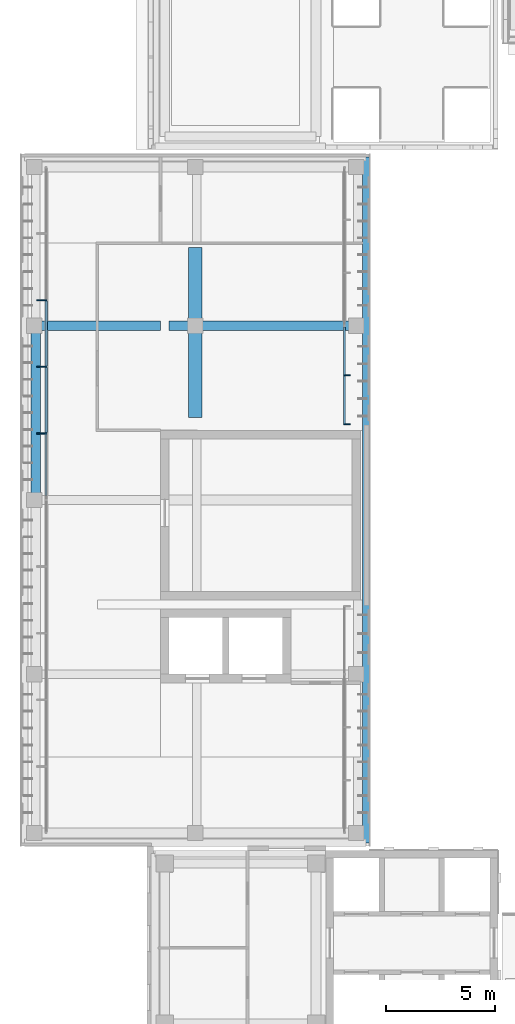
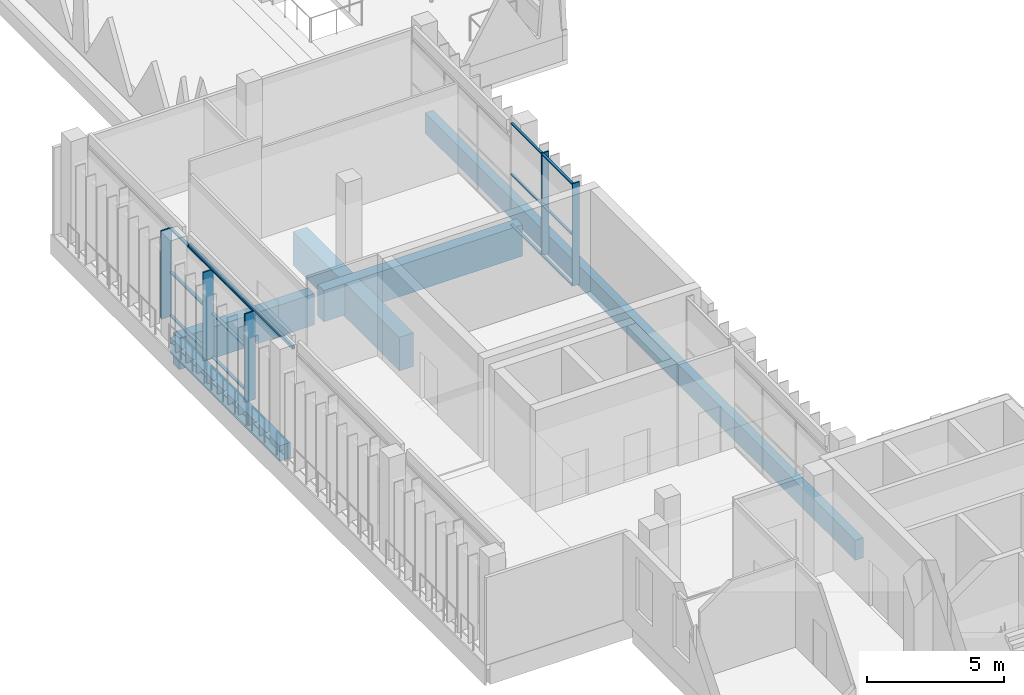
# One storey, part 14 of 46: 17 members, 6 beams, 2 elements without a shape of their own.
"""IFC4 building model written with IfcOpenShell, lengths in metres."""

from ifc_helpers import new_model, si_unit, direction, frame, origin, origin_2d, place, context, subcontext, project, spatial, rectangle, hollow_rectangle, extrude, material, material_profile, profile_set, type_object, element, aggregate, save


model = new_model("IFC4")

# Units and contexts
model_context = context("Model", 3, precision=1e-05, world=origin(), true_north=direction((0.0, 1.0)))
body_context = subcontext(model_context, "Body", "Model", "MODEL_VIEW")
ifc_project = project(units=[si_unit("LENGTHUNIT", "METRE"), si_unit("AREAUNIT", "SQUARE_METRE"), si_unit("VOLUMEUNIT", "CUBIC_METRE"), si_unit("PLANEANGLEUNIT", "RADIAN"), si_unit("MASSUNIT", "GRAM", prefix="KILO")], contexts=[model_context])

# Site, building, storey
site_placement = place(None, origin())
site = spatial("IfcSite", under=ifc_project, at=site_placement, CompositionType="ELEMENT")
building_placement = place(site_placement, origin())
building = spatial("IfcBuilding", under=site, at=building_placement, Name="Lantern Court Media Centre", CompositionType="ELEMENT")
storey_placement = place(building_placement, frame((0.0, 0.0, 28.800048828125)))
storey = spatial("IfcBuildingStorey", under=building, at=storey_placement, Name="L06", CompositionType="ELEMENT", Elevation=28.800048828125)

# Curtain wall, members
ifc_material_1 = material(Name="Curtain wall bay 2400")
curtain_wall_type_1 = type_object("IfcCurtainWallType", Name="Curtain wall bay 2400", PredefinedType="NOTDEFINED", material=ifc_material_1)
curtain_wall_1_placement = place(storey_placement, origin())
curtain_wall_1 = element("IfcCurtainWall", 1, at=curtain_wall_1_placement, inside=storey, type_object=curtain_wall_type_1, Name="Curtain wall W inner L06", PredefinedType="NOTDEFINED")
ifc_material_2 = material(Name="Anodised aluminium", Category="aluminium")
ifc_material_profile_1 = material_profile(ifc_material_2, rectangle(XDim=0.300048828125, YDim=0.050048828125, at=origin_2d()), Name="AL 50x300")
ifc_profile_set_1 = profile_set([ifc_material_profile_1], Name="Anodised aluminium")
member_type_1 = type_object("IfcMemberType", Name="Curtain wall mullion 50x300", PredefinedType="MULLION", material=ifc_profile_set_1)
member_1_placement = place(storey_placement, frame((16.969970703125, 83.47509765625, 0.0), z_axis=(0.0, 0.0, 1.0), x_axis=(-1.0, 0.0, 0.0)))
member_1 = element("IfcMember", 2, at=member_1_placement, type_object=member_type_1, Name="CW2 mullion 1", PredefinedType="MULLION", context=body_context, shape_type="SweptSolid", body=[
    extrude(rectangle(XDim=0.300048828125, YDim=0.050048828125, at=origin_2d()), origin(), (0.0, 0.0, 1.0), 4.579833984375),
])
member_2_placement = place(storey_placement, frame((16.969970703125, 85.72509765625, 0.0), z_axis=(0.0, 0.0, 1.0), x_axis=(-1.0, 0.0, 0.0)))
member_2 = element("IfcMember", 3, at=member_2_placement, type_object=member_type_1, Name="CW2 mullion 2", PredefinedType="MULLION", context=body_context, shape_type="SweptSolid", body=[
    extrude(rectangle(XDim=0.300048828125, YDim=0.050048828125, at=origin_2d()), origin(), (0.0, 0.0, 1.0), 4.579833984375),
])

ifc_material_3 = material(Name="Curtain wall bay 3000")
curtain_wall_type_2 = type_object("IfcCurtainWallType", Name="Curtain wall bay 3000", PredefinedType="NOTDEFINED", material=ifc_material_3)
curtain_wall_2_placement = place(storey_placement, origin())
curtain_wall_2 = element("IfcCurtainWall", 4, at=curtain_wall_2_placement, inside=storey, type_object=curtain_wall_type_2, Name="Curtain wall W outer L06", PredefinedType="NOTDEFINED")
ifc_material_profile_2 = material_profile(ifc_material_2, rectangle(XDim=0.449951171875, YDim=0.06005859375, at=origin_2d()), Name="AL 60x450")
ifc_profile_set_2 = profile_set([ifc_material_profile_2], Name="Anodised aluminium")
member_type_2 = type_object("IfcMemberType", Name="Curtain wall mullion 60x450", PredefinedType="MULLION", material=ifc_profile_set_2)
member_3_placement = place(storey_placement, frame((2.955078125, 83.06005859375, 0.0), z_axis=(0.0, 0.0, 1.0), x_axis=(-1.0, 0.0, 0.0)))
member_3 = element("IfcMember", 5, at=member_3_placement, type_object=member_type_2, Name="CW1 mullion 7", PredefinedType="MULLION", context=body_context, shape_type="SweptSolid", body=[
    extrude(rectangle(XDim=0.449951171875, YDim=0.06005859375, at=origin_2d()), origin(), (0.0, 0.0, 1.0), 3.949951171875),
])
member_4_placement = place(storey_placement, frame((2.955078125, 86.1201171875, 0.0), z_axis=(0.0, 0.0, 1.0), x_axis=(-1.0, 0.0, 0.0)))
member_4 = element("IfcMember", 6, at=member_4_placement, type_object=member_type_2, Name="CW1 mullion 8", PredefinedType="MULLION", context=body_context, shape_type="SweptSolid", body=[
    extrude(rectangle(XDim=0.449951171875, YDim=0.06005859375, at=origin_2d()), origin(), (0.0, 0.0, 1.0), 3.949951171875),
])
member_5_placement = place(storey_placement, frame((2.955078125, 89.179931640625, 0.0), z_axis=(0.0, 0.0, 1.0), x_axis=(-1.0, 0.0, 0.0)))
member_5 = element("IfcMember", 7, at=member_5_placement, type_object=member_type_2, Name="CW1 mullion 9", PredefinedType="MULLION", context=body_context, shape_type="SweptSolid", body=[
    extrude(rectangle(XDim=0.449951171875, YDim=0.06005859375, at=origin_2d()), origin(), (0.0, 0.0, 1.0), 3.949951171875),
])

# Member
ifc_material_profile_3 = material_profile(ifc_material_2, rectangle(XDim=0.10009765625, YDim=0.050048828125, at=origin_2d()), Name="AL 50x100")
ifc_profile_set_3 = profile_set([ifc_material_profile_3], Name="Anodised aluminium")
member_type_3 = type_object("IfcMemberType", Name="Curtain wall transom 100x50", PredefinedType="USERDEFINED", material=ifc_profile_set_3)
member_6_placement = place(storey_placement, frame((16.85009765625, 83.5, 0.02490234375), z_axis=(0.0, 1.0, 0.0), x_axis=(-1.0, 0.0, 0.0)))
member_6 = element("IfcMember", 8, at=member_6_placement, type_object=member_type_3, Name="CW2 transom 1.1", ObjectType="TRANSOM", PredefinedType="USERDEFINED", context=body_context, shape_type="SweptSolid", body=[
    extrude(rectangle(XDim=0.10009765625, YDim=0.050048828125, at=origin_2d()), origin(), (0.0, 0.0, 1.0), 2.199951171875),
])

member_7_placement = place(storey_placement, frame((16.85009765625, 83.5, 2.2900390625), z_axis=(0.0, 1.0, 0.0), x_axis=(-1.0, 0.0, 0.0)))
member_7 = element("IfcMember", 9, at=member_7_placement, type_object=member_type_3, Name="CW2 transom 1.2", ObjectType="TRANSOM", PredefinedType="USERDEFINED", context=body_context, shape_type="SweptSolid", body=[
    extrude(rectangle(XDim=0.10009765625, YDim=0.050048828125, at=origin_2d()), origin(), (0.0, 0.0, 1.0), 2.199951171875),
])

member_8_placement = place(storey_placement, frame((16.85009765625, 83.5, 4.554931640625), z_axis=(0.0, 1.0, 0.0), x_axis=(-1.0, 0.0, 0.0)))
member_8 = element("IfcMember", 10, at=member_8_placement, type_object=member_type_3, Name="CW2 transom 1.3", ObjectType="TRANSOM", PredefinedType="USERDEFINED", context=body_context, shape_type="SweptSolid", body=[
    extrude(rectangle(XDim=0.10009765625, YDim=0.050048828125, at=origin_2d()), origin(), (0.0, 0.0, 1.0), 2.199951171875),
])

member_9_placement = place(storey_placement, frame((16.85009765625, 85.75, 0.02490234375), z_axis=(0.0, 1.0, 0.0), x_axis=(-1.0, 0.0, 0.0)))
member_9 = element("IfcMember", 11, at=member_9_placement, type_object=member_type_3, Name="CW2 transom 2.1", ObjectType="TRANSOM", PredefinedType="USERDEFINED", context=body_context, shape_type="SweptSolid", body=[
    extrude(rectangle(XDim=0.10009765625, YDim=0.050048828125, at=origin_2d()), origin(), (0.0, 0.0, 1.0), 2.199951171875),
])

member_10_placement = place(storey_placement, frame((16.85009765625, 85.75, 2.2900390625), z_axis=(0.0, 1.0, 0.0), x_axis=(-1.0, 0.0, 0.0)))
member_10 = element("IfcMember", 12, at=member_10_placement, type_object=member_type_3, Name="CW2 transom 2.2", ObjectType="TRANSOM", PredefinedType="USERDEFINED", context=body_context, shape_type="SweptSolid", body=[
    extrude(rectangle(XDim=0.10009765625, YDim=0.050048828125, at=origin_2d()), origin(), (0.0, 0.0, 1.0), 2.199951171875),
])

member_11_placement = place(storey_placement, frame((16.85009765625, 85.75, 4.554931640625), z_axis=(0.0, 1.0, 0.0), x_axis=(-1.0, 0.0, 0.0)))
member_11 = element("IfcMember", 13, at=member_11_placement, type_object=member_type_3, Name="CW2 transom 2.3", ObjectType="TRANSOM", PredefinedType="USERDEFINED", context=body_context, shape_type="SweptSolid", body=[
    extrude(rectangle(XDim=0.10009765625, YDim=0.050048828125, at=origin_2d()), origin(), (0.0, 0.0, 1.0), 2.199951171875),
])

aggregate(curtain_wall_1, [member_1, member_2, member_6, member_7, member_8, member_9, member_10, member_11])

ifc_material_profile_4 = material_profile(ifc_material_2, rectangle(XDim=0.1201171875, YDim=0.06005859375, at=origin_2d()), Name="AL 60x120")
ifc_profile_set_4 = profile_set([ifc_material_profile_4], Name="Anodised aluminium")
member_type_4 = type_object("IfcMemberType", Name="Curtain wall transom 60x120", PredefinedType="USERDEFINED", material=ifc_profile_set_4)
member_12_placement = place(storey_placement, frame((3.14990234375, 83.090087890625, 0.030029296875), z_axis=(0.0, 1.0, 0.0), x_axis=(-1.0, 0.0, 0.0)))
member_12 = element("IfcMember", 14, at=member_12_placement, type_object=member_type_4, Name="CW1 transom 7.1", ObjectType="TRANSOM", PredefinedType="USERDEFINED", context=body_context, shape_type="SweptSolid", body=[
    extrude(rectangle(XDim=0.1201171875, YDim=0.06005859375, at=origin_2d()), origin(), (0.0, 0.0, 1.0), 3.0),
])

member_13_placement = place(storey_placement, frame((3.14990234375, 83.090087890625, 1.974853515625), z_axis=(0.0, 1.0, 0.0), x_axis=(-1.0, 0.0, 0.0)))
member_13 = element("IfcMember", 15, at=member_13_placement, type_object=member_type_4, Name="CW1 transom 7.2", ObjectType="TRANSOM", PredefinedType="USERDEFINED", context=body_context, shape_type="SweptSolid", body=[
    extrude(rectangle(XDim=0.1201171875, YDim=0.06005859375, at=origin_2d()), origin(), (0.0, 0.0, 1.0), 3.0),
])

member_14_placement = place(storey_placement, frame((3.14990234375, 83.090087890625, 3.919921875), z_axis=(0.0, 1.0, 0.0), x_axis=(-1.0, 0.0, 0.0)))
member_14 = element("IfcMember", 16, at=member_14_placement, type_object=member_type_4, Name="CW1 transom 7.3", ObjectType="TRANSOM", PredefinedType="USERDEFINED", context=body_context, shape_type="SweptSolid", body=[
    extrude(rectangle(XDim=0.1201171875, YDim=0.06005859375, at=origin_2d()), origin(), (0.0, 0.0, 1.0), 3.0),
])

member_15_placement = place(storey_placement, frame((3.14990234375, 86.14990234375, 0.030029296875), z_axis=(0.0, 1.0, 0.0), x_axis=(-1.0, 0.0, 0.0)))
member_15 = element("IfcMember", 17, at=member_15_placement, type_object=member_type_4, Name="CW1 transom 8.1", ObjectType="TRANSOM", PredefinedType="USERDEFINED", context=body_context, shape_type="SweptSolid", body=[
    extrude(rectangle(XDim=0.1201171875, YDim=0.06005859375, at=origin_2d()), origin(), (0.0, 0.0, 1.0), 3.0),
])

member_16_placement = place(storey_placement, frame((3.14990234375, 86.14990234375, 1.974853515625), z_axis=(0.0, 1.0, 0.0), x_axis=(-1.0, 0.0, 0.0)))
member_16 = element("IfcMember", 18, at=member_16_placement, type_object=member_type_4, Name="CW1 transom 8.2", ObjectType="TRANSOM", PredefinedType="USERDEFINED", context=body_context, shape_type="SweptSolid", body=[
    extrude(rectangle(XDim=0.1201171875, YDim=0.06005859375, at=origin_2d()), origin(), (0.0, 0.0, 1.0), 3.0),
])

member_17_placement = place(storey_placement, frame((3.14990234375, 86.14990234375, 3.919921875), z_axis=(0.0, 1.0, 0.0), x_axis=(-1.0, 0.0, 0.0)))
member_17 = element("IfcMember", 19, at=member_17_placement, type_object=member_type_4, Name="CW1 transom 8.3", ObjectType="TRANSOM", PredefinedType="USERDEFINED", context=body_context, shape_type="SweptSolid", body=[
    extrude(rectangle(XDim=0.1201171875, YDim=0.06005859375, at=origin_2d()), origin(), (0.0, 0.0, 1.0), 3.0),
])

aggregate(curtain_wall_2, [member_3, member_4, member_5, member_12, member_13, member_14, member_15, member_16, member_17])

# Beams
ifc_material_4 = material(Name="Steel S355J2 (EN 10025-2)", Category="steel")
ifc_material_profile_5 = material_profile(ifc_material_4, hollow_rectangle(XDim=0.10009765625, YDim=0.14990234375, WallThickness=0.00634765625, InnerFilletRadius=0.00634765625, OuterFilletRadius=0.009521484375, at=origin_2d()), Name="Facade head lintel RHS 150x100x6.3")
ifc_profile_set_5 = profile_set([ifc_material_profile_5], Name="Steel S355J2 (EN 10025-2)")
beam_type_1 = type_object("IfcBeamType", Name="Facade head lintel RHS 150x100x6.3", PredefinedType="BEAM", material=ifc_profile_set_5)
beam_1_placement = place(storey_placement, frame((3.14990234375, 80.199951171875, 4.02490234375), z_axis=(0.0, 1.0, 0.0), x_axis=(-1.0, 0.0, 0.0)))
element("IfcBeam", 20, at=beam_1_placement, inside=storey, type_object=beam_type_1, Name="Facade head lintel W L06", PredefinedType="BEAM", context=body_context, shape_type="SweptSolid", body=[
    extrude(hollow_rectangle(XDim=0.10009765625, YDim=0.14990234375, WallThickness=0.00634765625, InnerFilletRadius=0.00634765625, OuterFilletRadius=0.009521484375, at=origin_2d()), origin(), (0.0, 0.0, 1.0), 7.60009765625),
])
ifc_material_5 = material(Name="Concrete C35", Category="concrete")
ifc_material_profile_6 = material_profile(ifc_material_5, rectangle(XDim=0.35009765625, YDim=0.89990234375, at=origin_2d()), Name="RC 350x900")
ifc_profile_set_6 = profile_set([ifc_material_profile_6], Name="Concrete C35")
beam_type_2 = type_object("IfcBeamType", Name="RC BEAM 350x900", PredefinedType="BEAM", material=ifc_profile_set_6)
beam_2_placement = place(storey_placement, frame((17.85009765625, 64.25, -0.449951171875), z_axis=(0.0, 1.0, 0.0), x_axis=(-1.0, 0.0, 0.0)))
element("IfcBeam", 21, at=beam_2_placement, inside=storey, type_object=beam_type_2, Name="EB-W-L06-B", PredefinedType="BEAM", context=body_context, shape_type="SweptSolid", body=[
    extrude(rectangle(XDim=0.35009765625, YDim=0.89990234375, at=origin_2d()), origin(), (0.0, 0.0, 1.0), 31.5),
])
ifc_material_profile_7 = material_profile(ifc_material_5, rectangle(XDim=0.449951171875, YDim=1.39990234375, at=origin_2d()), Name="RC 450x1400")
ifc_profile_set_7 = profile_set([ifc_material_profile_7], Name="Concrete C35")
beam_type_3 = type_object("IfcBeamType", Name="RC BEAM 450x1400", PredefinedType="BEAM", material=ifc_profile_set_7)
beam_3_placement = place(storey_placement, frame((2.683349609375, 88.0, -0.699951171875), z_axis=(1.0, 0.0, 0.0), x_axis=(0.0, 1.0, 0.0)))
element("IfcBeam", 22, at=beam_3_placement, inside=storey, type_object=beam_type_3, Name="TB-W-L06-3-1", PredefinedType="BEAM", context=body_context, shape_type="SweptSolid", body=[
    extrude(rectangle(XDim=0.449951171875, YDim=1.39990234375, at=origin_2d()), origin(), (0.0, 0.0, 1.0), 5.716552734375),
])
beam_4_placement = place(storey_placement, frame((8.800048828125, 88.0, -0.699951171875), z_axis=(1.0, 0.0, 0.0), x_axis=(0.0, 1.0, 0.0)))
element("IfcBeam", 23, at=beam_4_placement, inside=storey, type_object=beam_type_3, Name="TB-W-L06-3-11", PredefinedType="BEAM", context=body_context, shape_type="SweptSolid", body=[
    extrude(rectangle(XDim=0.449951171875, YDim=1.39990234375, at=origin_2d()), origin(), (0.0, 0.0, 1.0), 8.39990234375),
])
ifc_material_profile_8 = material_profile(ifc_material_5, rectangle(XDim=0.449951171875, YDim=0.699951171875, at=origin_2d()), Name="RC 450x700")
ifc_profile_set_8 = profile_set([ifc_material_profile_8], Name="Concrete C35")
beam_type_4 = type_object("IfcBeamType", Name="RC BEAM 450x700", PredefinedType="BEAM", material=ifc_profile_set_8)
beam_5_placement = place(storey_placement, frame((2.6728515625, 80.0, -0.35009765625), z_axis=(0.0, 1.0, 0.0), x_axis=(-1.0, 0.0, 0.0)))
element("IfcBeam", 24, at=beam_5_placement, inside=storey, type_object=beam_type_4, Name="LB-W-L06-0-2", PredefinedType="BEAM", context=body_context, shape_type="SweptSolid", body=[
    extrude(rectangle(XDim=0.449951171875, YDim=0.699951171875, at=origin_2d()), origin(), (0.0, 0.0, 1.0), 8.0),
])
ifc_material_profile_9 = material_profile(ifc_material_5, rectangle(XDim=0.60009765625, YDim=1.5, at=origin_2d()), Name="RC 600x1500")
ifc_profile_set_9 = profile_set([ifc_material_profile_9], Name="Concrete C35")
beam_type_5 = type_object("IfcBeamType", Name="RC BEAM 600x1500", PredefinedType="BEAM", material=ifc_profile_set_9)
beam_6_placement = place(storey_placement, frame((10.0, 83.800048828125, -0.75), z_axis=(0.0, 1.0, 0.0), x_axis=(-1.0, 0.0, 0.0)))
element("IfcBeam", 25, at=beam_6_placement, inside=storey, type_object=beam_type_5, Name="TR-W-L06-1", PredefinedType="BEAM", context=body_context, shape_type="SweptSolid", body=[
    extrude(rectangle(XDim=0.60009765625, YDim=1.5, at=origin_2d()), origin(), (0.0, 0.0, 1.0), 7.800048828125),
])

save(model, "model.ifc")
